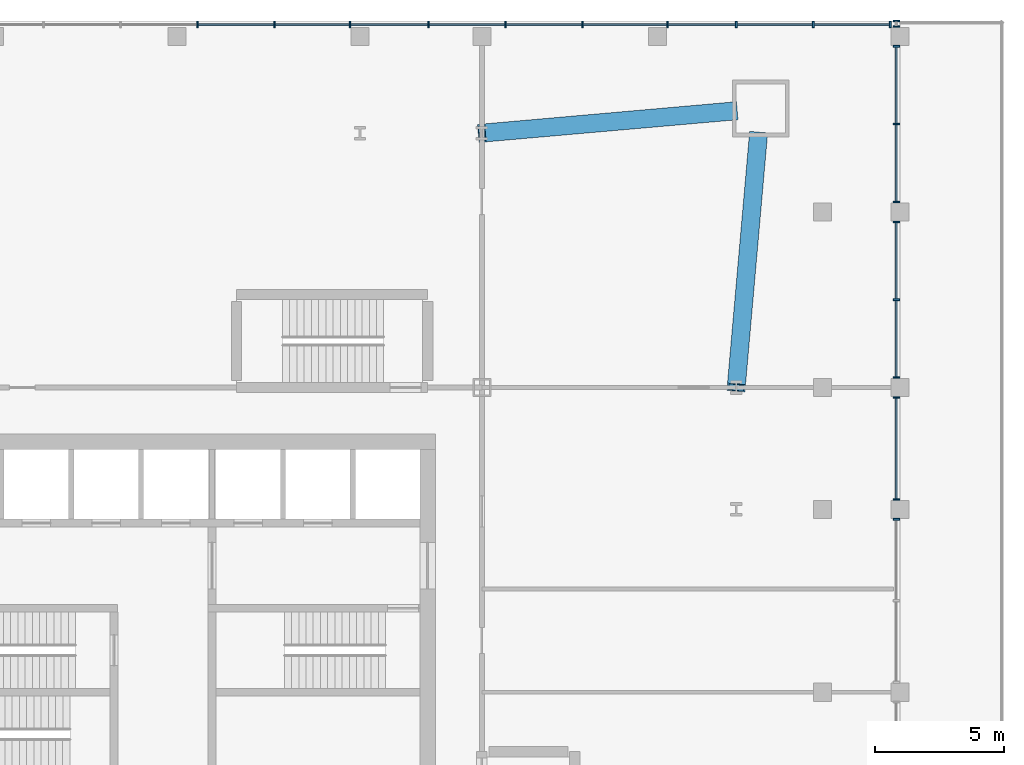
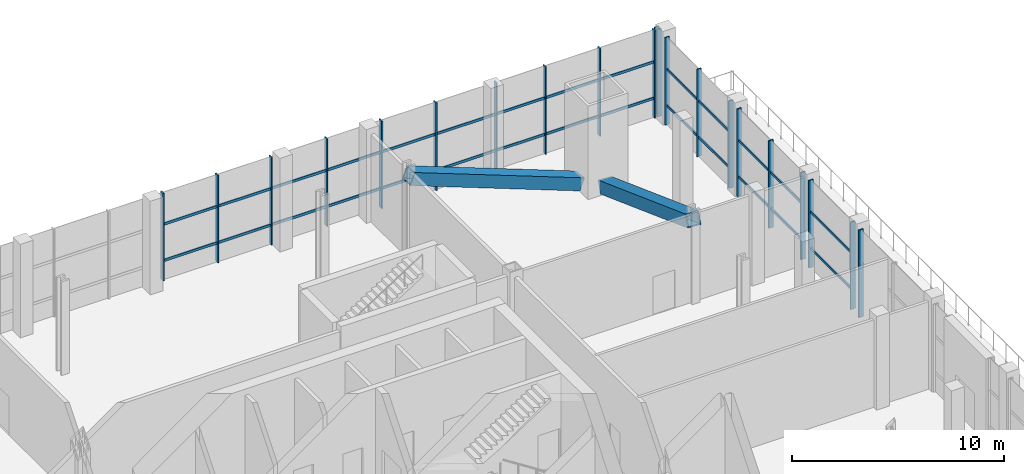
# One storey, part 5 of 17: 51 members, 6 elements without a shape of their own.
"""IFC4 building model written with IfcOpenShell, lengths in metres."""

import ifcopenshell
import ifcopenshell.guid

model = None  # the IFC model being written
_history = None  # IfcOwnerHistory: only IFC2X3 demands one
_inside = {}  # id of a spatial element -> (the spatial element, [elements in it])
_under = {}  # id of a project, library or spatial element -> (it, [spatial elements below it])
_declared = {}  # id of a project -> (the project, [libraries it declares])
_typed = {}  # id of a type object -> (the type object, [elements of that type])
_made_of = {}  # id of a material, layer set ... -> (it, [elements and type objects made of it])


def new_model(schema):
    """Start an empty IFC model of exactly this schema.

    Asked for "IFC4X3", IfcOpenShell would pick the latest addendum, in which some entities
    have other attributes; the version numbers below select the first issue.
    IFC2X3 requires an IfcOwnerHistory on every rooted entity: one is made here for all.
    """
    global model, _history
    if schema == "IFC4X3":
        model = ifcopenshell.file(schema_version=(4, 3, 0, 0))
    else:
        model = ifcopenshell.file(schema=schema)
    _inside.clear()
    _under.clear()
    _declared.clear()
    _typed.clear()
    _made_of.clear()
    _history = None
    if model.schema == "IFC2X3":
        org = make("IfcOrganization", Name="unknown")
        user = make(
            "IfcPersonAndOrganization",
            ThePerson=make("IfcPerson", FamilyName="unknown"),
            TheOrganization=org,
        )
        app = make(
            "IfcApplication",
            ApplicationDeveloper=org,
            Version="unknown",
            ApplicationFullName="unknown",
            ApplicationIdentifier="unknown",
        )
        _history = make(
            "IfcOwnerHistory",
            OwningUser=user,
            OwningApplication=app,
            ChangeAction="ADDED",
            CreationDate=0,
        )
    return model


def make(cls, **values):
    """One entity of the class cls with the attributes given. An attribute that is None is left unset."""
    return model.create_entity(
        cls, **{name: value for name, value in values.items() if value is not None}
    )


def rooted(cls, **values):
    """An entity with a GlobalId (a new one), such as an element, a storey or a relation."""
    return make(cls, GlobalId=ifcopenshell.guid.new(), OwnerHistory=_history, **values)


def si_unit(unit_type, name, prefix=None):
    """IfcSIUnit, for example si_unit("LENGTHUNIT", "METRE", prefix="MILLI")."""
    return make("IfcSIUnit", UnitType=unit_type, Prefix=prefix, Name=name)


def assignment(units):
    """IfcUnitAssignment: the units of a project."""
    return None if units is None else make("IfcUnitAssignment", Units=units)


def point(xyz):
    """IfcCartesianPoint."""
    return None if xyz is None else make("IfcCartesianPoint", Coordinates=xyz)


def direction(xyz):
    """IfcDirection."""
    return None if xyz is None else make("IfcDirection", DirectionRatios=xyz)


def frame(location, z_axis=None, x_axis=None):
    """IfcAxis2Placement3D, a coordinate frame: its origin and axes. An axis left out is left unset."""
    return make(
        "IfcAxis2Placement3D",
        Location=point(location),
        Axis=direction(z_axis),
        RefDirection=direction(x_axis),
    )


def frame_2d(location, x_axis=None):
    """IfcAxis2Placement2D, a coordinate frame in the plane: its origin and x axis."""
    return make(
        "IfcAxis2Placement2D", Location=point(location), RefDirection=direction(x_axis)
    )


def origin():
    """The frame at (0, 0, 0) with its axes left unset."""
    return frame((0.0, 0.0, 0.0))


def origin_2d():
    """The frame at (0, 0) in the plane with its x axis left unset."""
    return frame_2d((0.0, 0.0))


def place(relative_to, where):
    """IfcLocalPlacement: puts the frame where relative to a parent placement (None: the world)."""
    return make(
        "IfcLocalPlacement", PlacementRelTo=relative_to, RelativePlacement=where
    )


def context(
    kind, dimensions, precision=None, world=None, true_north=None, identifier=None
):
    """IfcGeometricRepresentationContext, for example the 3D "Model" context."""
    return make(
        "IfcGeometricRepresentationContext",
        ContextIdentifier=identifier,
        ContextType=kind,
        CoordinateSpaceDimension=dimensions,
        Precision=precision,
        WorldCoordinateSystem=world,
        TrueNorth=true_north,
    )


def subcontext(parent, identifier, kind, view, scale=None):
    """IfcGeometricRepresentationSubContext, for example "Body" below "Model"."""
    return make(
        "IfcGeometricRepresentationSubContext",
        ContextIdentifier=identifier,
        ContextType=kind,
        ParentContext=parent,
        TargetScale=scale,
        TargetView=view,
    )


def project(units=None, contexts=None):
    """IfcProject with its units and contexts."""
    return rooted(
        "IfcProject",
        Name="project",
        RepresentationContexts=contexts,
        UnitsInContext=assignment(units),
    )


def spatial(cls, under=None, at=None, **own):
    """A site, building, storey or space (cls), placed at a placement, below another one or the project."""
    s = rooted(cls, ObjectPlacement=at, **own)
    if under is not None:
        _under.setdefault(under.id(), (under, []))[1].append(s)
    return s


def profile(cls, at=None, kind="AREA", **sizes):
    """A parametric profile (cls). Its sizes go by their IFC names, for example OverallWidth=200.0."""
    return make(cls, ProfileType=kind, Position=at, **sizes)


def rectangle(**sizes):
    """IfcRectangleProfileDef."""
    return profile("IfcRectangleProfileDef", **sizes)


def hollow_rectangle(**sizes):
    """IfcRectangleHollowProfileDef."""
    return profile("IfcRectangleHollowProfileDef", **sizes)


def extrude(swept, where, along, depth):
    """IfcExtrudedAreaSolid: the profile swept, set in the frame where, extruded along a direction by depth."""
    return make(
        "IfcExtrudedAreaSolid",
        SweptArea=swept,
        Position=where,
        ExtrudedDirection=direction(along),
        Depth=depth,
    )


def shape(context_of_items, identifier, shape_type, items):
    """IfcShapeRepresentation: the items that make up one representation, for example the "Body"."""
    return make(
        "IfcShapeRepresentation",
        ContextOfItems=context_of_items,
        RepresentationIdentifier=identifier,
        RepresentationType=shape_type,
        Items=items,
    )


def material(Name=None, Category=None):
    """IfcMaterial."""
    return make("IfcMaterial", Name=Name, Category=Category)


def material_profile(
    of_material, cross_section, Name=None, Category=None, Priority=None
):
    """IfcMaterialProfile: a cross section and its material."""
    return make(
        "IfcMaterialProfile",
        Name=Name,
        Material=of_material,
        Profile=cross_section,
        Priority=Priority,
        Category=Category,
    )


def profile_set(profiles, Name=None, composite=None):
    """IfcMaterialProfileSet."""
    return make(
        "IfcMaterialProfileSet",
        Name=Name,
        MaterialProfiles=profiles,
        CompositeProfile=composite,
    )


def made_of(thing, what):
    """Note that an element or type object is made of a material, layer set ...; save() writes the relation."""
    if what is not None:
        _made_of.setdefault(what.id(), (what, []))[1].append(thing)
    return thing


def type_object(cls, material=None, **own):
    """A type object (cls), such as IfcWallType, which elements share."""
    return made_of(rooted(cls, **own), material)


def element(
    cls,
    number,
    at=None,
    inside=None,
    cuts=None,
    type_object=None,
    material=None,
    context=None,
    identifier="Body",
    shape_type=None,
    held_by="IfcProductDefinitionShape",
    body=None,
    shapes=None,
    **own,
):
    """One element of the class cls, such as IfcWall. Its Tag is "e" and its number.

    at: its placement. inside: the storey or other place that contains it. cuts: it is an
    opening in that element (IfcRelVoidsElement). A single representation is given by context,
    identifier, shape_type and body (its items); several are given by shapes. held_by: the class
    of the entity that holds the representations. save() writes the other relations.
    """
    e = rooted(cls, Tag="e%d" % number, ObjectPlacement=at, **own)
    if body is not None:
        shapes = [shape(context, identifier, shape_type, body)]
    if shapes is not None:
        e.Representation = make(held_by, Representations=shapes)
    if inside is not None:
        _inside.setdefault(inside.id(), (inside, []))[1].append(e)
    if cuts is not None:
        rooted(
            "IfcRelVoidsElement", RelatingBuildingElement=cuts, RelatedOpeningElement=e
        )
    if type_object is not None:
        _typed.setdefault(type_object.id(), (type_object, []))[1].append(e)
    return made_of(e, material)


def aggregate(whole, parts):
    """IfcRelAggregates: a whole, such as a stair, and the parts it consists of."""
    return rooted("IfcRelAggregates", RelatingObject=whole, RelatedObjects=parts)


def save(model, path):
    """Write the relations noted so far, then the file.

    IfcRelAggregates (storeys below a building ...), IfcRelContainedInSpatialStructure (elements
    in a storey), IfcRelDefinesByType, IfcRelAssociatesMaterial and IfcRelDeclares: one each for
    every whole, place, type object, material and project.
    """
    for whole, parts in _under.values():
        aggregate(whole, parts)
    for where, things in _inside.values():
        rooted(
            "IfcRelContainedInSpatialStructure",
            RelatedElements=things,
            RelatingStructure=where,
        )
    for kind, things in _typed.values():
        rooted("IfcRelDefinesByType", RelatedObjects=things, RelatingType=kind)
    for what, things in _made_of.values():
        rooted("IfcRelAssociatesMaterial", RelatedObjects=things, RelatingMaterial=what)
    for by, libraries in _declared.values():
        rooted("IfcRelDeclares", RelatingContext=by, RelatedDefinitions=libraries)
    model.write(path)


model = new_model("IFC4")

# Units and contexts
model_context = context("Model", 3, precision=1e-05, world=origin(), true_north=direction((0.0, 1.0)))
body_context = subcontext(model_context, "Body", "Model", "MODEL_VIEW")
ifc_project = project(units=[si_unit("LENGTHUNIT", "METRE"), si_unit("AREAUNIT", "SQUARE_METRE"), si_unit("VOLUMEUNIT", "CUBIC_METRE"), si_unit("PLANEANGLEUNIT", "RADIAN"), si_unit("MASSUNIT", "GRAM", prefix="KILO")], contexts=[model_context])

# Site, building, storey
site_placement = place(None, origin())
site = spatial("IfcSite", under=ifc_project, at=site_placement, CompositionType="ELEMENT")
building_placement = place(site_placement, origin())
building = spatial("IfcBuilding", under=site, at=building_placement, Name="Turquesa Mirador Hotel Tower", CompositionType="ELEMENT")
storey_placement = place(building_placement, frame((0.0, 0.0, 5.60009765625)))
storey = spatial("IfcBuildingStorey", under=building, at=storey_placement, Name="L01", CompositionType="ELEMENT", Elevation=5.60009765625)

# Curtain wall, member
ifc_material_1 = material(Name="Aluminium extrusion", Category="aluminium")
curtain_wall_type = type_object("IfcCurtainWallType", Name="CW-2 PODIUM CURTAIN WALL", PredefinedType="USERDEFINED", material=ifc_material_1)
curtain_wall_1_placement = place(storey_placement, origin())
curtain_wall_1 = element("IfcCurtainWall", 1, at=curtain_wall_1_placement, inside=storey, type_object=curtain_wall_type, Name="CW-2 PODIUM CURTAIN WALL L01", ObjectType="CURTAIN WALL", PredefinedType="USERDEFINED")
ifc_material_2 = material(Name="Aluminium extrusion", Category="aluminium")
ifc_material_profile_1 = material_profile(ifc_material_2, rectangle(XDim=0.06494140625, YDim=0.25, at=origin_2d()), Name="MULLION 65X250")
ifc_profile_set_1 = profile_set([ifc_material_profile_1], Name="Aluminium extrusion")
member_type_1 = type_object("IfcMemberType", Name="CW MULLION 65X250", PredefinedType="MULLION", material=ifc_profile_set_1)
member_1_placement = place(storey_placement, frame((82.85009765625, 51.695556640625, 0.0), z_axis=(0.0, 0.0, 1.0), x_axis=(0.0, 1.0, 0.0)))
member_1 = element("IfcMember", 2, at=member_1_placement, type_object=member_type_1, Name="Mullion", PredefinedType="MULLION", context=body_context, shape_type="SweptSolid", body=[
    extrude(rectangle(XDim=0.06494140625, YDim=0.25, at=origin_2d()), origin(), (0.0, 0.0, 1.0), 5.0498046875),
])
aggregate(curtain_wall_1, [member_1])

# Curtain wall, members
curtain_wall_2_placement = place(storey_placement, origin())
curtain_wall_2 = element("IfcCurtainWall", 3, at=curtain_wall_2_placement, inside=storey, type_object=curtain_wall_type, Name="CW-2 PODIUM CURTAIN WALL L01", ObjectType="CURTAIN WALL", PredefinedType="USERDEFINED")
member_2_placement = place(storey_placement, frame((82.85009765625, 52.464599609375, 0.0), z_axis=(0.0, 0.0, 1.0), x_axis=(0.0, 1.0, 0.0)))
member_2 = element("IfcMember", 4, at=member_2_placement, type_object=member_type_1, Name="Mullion", PredefinedType="MULLION", context=body_context, shape_type="SweptSolid", body=[
    extrude(rectangle(XDim=0.06494140625, YDim=0.25, at=origin_2d()), origin(), (0.0, 0.0, 1.0), 5.0498046875),
])
member_3_placement = place(storey_placement, frame((82.85009765625, 56.41552734375, 0.0), z_axis=(0.0, 0.0, 1.0), x_axis=(0.0, 1.0, 0.0)))
member_3 = element("IfcMember", 5, at=member_3_placement, type_object=member_type_1, Name="Mullion", PredefinedType="MULLION", context=body_context, shape_type="SweptSolid", body=[
    extrude(rectangle(XDim=0.06494140625, YDim=0.25, at=origin_2d()), origin(), (0.0, 0.0, 1.0), 5.0498046875),
])

curtain_wall_3_placement = place(storey_placement, origin())
curtain_wall_3 = element("IfcCurtainWall", 6, at=curtain_wall_3_placement, inside=storey, type_object=curtain_wall_type, Name="CW-2 PODIUM CURTAIN WALL L01", ObjectType="CURTAIN WALL", PredefinedType="USERDEFINED")
member_4_placement = place(storey_placement, frame((82.85009765625, 57.1845703125, 0.0), z_axis=(0.0, 0.0, 1.0), x_axis=(0.0, 1.0, 0.0)))
member_4 = element("IfcMember", 7, at=member_4_placement, type_object=member_type_1, Name="Mullion", PredefinedType="MULLION", context=body_context, shape_type="SweptSolid", body=[
    extrude(rectangle(XDim=0.06494140625, YDim=0.25, at=origin_2d()), origin(), (0.0, 0.0, 1.0), 5.0498046875),
])
member_5_placement = place(storey_placement, frame((82.85009765625, 60.199951171875, 0.0), z_axis=(0.0, 0.0, 1.0), x_axis=(0.0, 1.0, 0.0)))
member_5 = element("IfcMember", 8, at=member_5_placement, type_object=member_type_1, Name="Mullion", PredefinedType="MULLION", context=body_context, shape_type="SweptSolid", body=[
    extrude(rectangle(XDim=0.06494140625, YDim=0.25, at=origin_2d()), origin(), (0.0, 0.0, 1.0), 5.0498046875),
])
member_6_placement = place(storey_placement, frame((82.85009765625, 63.215576171875, 0.0), z_axis=(0.0, 0.0, 1.0), x_axis=(0.0, 1.0, 0.0)))
member_6 = element("IfcMember", 9, at=member_6_placement, type_object=member_type_1, Name="Mullion", PredefinedType="MULLION", context=body_context, shape_type="SweptSolid", body=[
    extrude(rectangle(XDim=0.06494140625, YDim=0.25, at=origin_2d()), origin(), (0.0, 0.0, 1.0), 5.0498046875),
])

curtain_wall_4_placement = place(storey_placement, origin())
curtain_wall_4 = element("IfcCurtainWall", 10, at=curtain_wall_4_placement, inside=storey, type_object=curtain_wall_type, Name="CW-2 PODIUM CURTAIN WALL L01", ObjectType="CURTAIN WALL", PredefinedType="USERDEFINED")
member_7_placement = place(storey_placement, frame((82.85009765625, 63.984619140625, 0.0), z_axis=(0.0, 0.0, 1.0), x_axis=(0.0, 1.0, 0.0)))
member_7 = element("IfcMember", 11, at=member_7_placement, type_object=member_type_1, Name="Mullion", PredefinedType="MULLION", context=body_context, shape_type="SweptSolid", body=[
    extrude(rectangle(XDim=0.06494140625, YDim=0.25, at=origin_2d()), origin(), (0.0, 0.0, 1.0), 5.0498046875),
])
member_8_placement = place(storey_placement, frame((82.85009765625, 67.0, 0.0), z_axis=(0.0, 0.0, 1.0), x_axis=(0.0, 1.0, 0.0)))
member_8 = element("IfcMember", 12, at=member_8_placement, type_object=member_type_1, Name="Mullion", PredefinedType="MULLION", context=body_context, shape_type="SweptSolid", body=[
    extrude(rectangle(XDim=0.06494140625, YDim=0.25, at=origin_2d()), origin(), (0.0, 0.0, 1.0), 5.0498046875),
])
member_9_placement = place(storey_placement, frame((82.85009765625, 70.015380859375, 0.0), z_axis=(0.0, 0.0, 1.0), x_axis=(0.0, 1.0, 0.0)))
member_9 = element("IfcMember", 13, at=member_9_placement, type_object=member_type_1, Name="Mullion", PredefinedType="MULLION", context=body_context, shape_type="SweptSolid", body=[
    extrude(rectangle(XDim=0.06494140625, YDim=0.25, at=origin_2d()), origin(), (0.0, 0.0, 1.0), 5.0498046875),
])

curtain_wall_5_placement = place(storey_placement, origin())
curtain_wall_5 = element("IfcCurtainWall", 14, at=curtain_wall_5_placement, inside=storey, type_object=curtain_wall_type, Name="CW-2 PODIUM CURTAIN WALL L01", ObjectType="CURTAIN WALL", PredefinedType="USERDEFINED")
member_10_placement = place(storey_placement, frame((82.85009765625, 70.784423828125, 0.0), z_axis=(0.0, 0.0, 1.0), x_axis=(0.0, 1.0, 0.0)))
member_10 = element("IfcMember", 15, at=member_10_placement, type_object=member_type_1, Name="Mullion", PredefinedType="MULLION", context=body_context, shape_type="SweptSolid", body=[
    extrude(rectangle(XDim=0.06494140625, YDim=0.25, at=origin_2d()), origin(), (0.0, 0.0, 1.0), 5.0498046875),
])
member_11_placement = place(storey_placement, frame((82.85009765625, 71.0, 0.0), z_axis=(0.0, 0.0, 1.0), x_axis=(0.0, 1.0, 0.0)))
member_11 = element("IfcMember", 16, at=member_11_placement, type_object=member_type_1, Name="Mullion", PredefinedType="MULLION", context=body_context, shape_type="SweptSolid", body=[
    extrude(rectangle(XDim=0.06494140625, YDim=0.25, at=origin_2d()), origin(), (0.0, 0.0, 1.0), 5.0498046875),
])
aggregate(curtain_wall_5, [member_10, member_11])

curtain_wall_6_placement = place(storey_placement, origin())
curtain_wall_6 = element("IfcCurtainWall", 17, at=curtain_wall_6_placement, inside=storey, type_object=curtain_wall_type, Name="CW-2 PODIUM CURTAIN WALL L01", ObjectType="CURTAIN WALL", PredefinedType="USERDEFINED")
member_12_placement = place(storey_placement, frame((82.615478515625, 70.85009765625, 0.0), z_axis=(0.0, 0.0, 1.0), x_axis=(-1.0, 0.0, 0.0)))
member_12 = element("IfcMember", 18, at=member_12_placement, type_object=member_type_1, Name="Mullion", PredefinedType="MULLION", context=body_context, shape_type="SweptSolid", body=[
    extrude(rectangle(XDim=0.06494140625, YDim=0.25, at=origin_2d()), origin(), (0.0, 0.0, 1.0), 5.0498046875),
])
member_13_placement = place(storey_placement, frame((79.634765625, 70.85009765625, 0.0), z_axis=(0.0, 0.0, 1.0), x_axis=(-1.0, 0.0, 0.0)))
member_13 = element("IfcMember", 19, at=member_13_placement, type_object=member_type_1, Name="Mullion", PredefinedType="MULLION", context=body_context, shape_type="SweptSolid", body=[
    extrude(rectangle(XDim=0.06494140625, YDim=0.25, at=origin_2d()), origin(), (0.0, 0.0, 1.0), 5.0498046875),
])
member_14_placement = place(storey_placement, frame((76.654052734375, 70.85009765625, 0.0), z_axis=(0.0, 0.0, 1.0), x_axis=(-1.0, 0.0, 0.0)))
member_14 = element("IfcMember", 20, at=member_14_placement, type_object=member_type_1, Name="Mullion", PredefinedType="MULLION", context=body_context, shape_type="SweptSolid", body=[
    extrude(rectangle(XDim=0.06494140625, YDim=0.25, at=origin_2d()), origin(), (0.0, 0.0, 1.0), 5.0498046875),
])
member_15_placement = place(storey_placement, frame((73.984619140625, 70.85009765625, 0.0), z_axis=(0.0, 0.0, 1.0), x_axis=(-1.0, 0.0, 0.0)))
member_15 = element("IfcMember", 21, at=member_15_placement, type_object=member_type_1, Name="Mullion", PredefinedType="MULLION", context=body_context, shape_type="SweptSolid", body=[
    extrude(rectangle(XDim=0.06494140625, YDim=0.25, at=origin_2d()), origin(), (0.0, 0.0, 1.0), 5.0498046875),
])
member_16_placement = place(storey_placement, frame((70.6923828125, 70.85009765625, 0.0), z_axis=(0.0, 0.0, 1.0), x_axis=(-1.0, 0.0, 0.0)))
member_16 = element("IfcMember", 22, at=member_16_placement, type_object=member_type_1, Name="Mullion", PredefinedType="MULLION", context=body_context, shape_type="SweptSolid", body=[
    extrude(rectangle(XDim=0.06494140625, YDim=0.25, at=origin_2d()), origin(), (0.0, 0.0, 1.0), 5.0498046875),
])
member_17_placement = place(storey_placement, frame((67.711669921875, 70.85009765625, 0.0), z_axis=(0.0, 0.0, 1.0), x_axis=(-1.0, 0.0, 0.0)))
member_17 = element("IfcMember", 23, at=member_17_placement, type_object=member_type_1, Name="Mullion", PredefinedType="MULLION", context=body_context, shape_type="SweptSolid", body=[
    extrude(rectangle(XDim=0.06494140625, YDim=0.25, at=origin_2d()), origin(), (0.0, 0.0, 1.0), 5.0498046875),
])
member_18_placement = place(storey_placement, frame((64.73095703125, 70.85009765625, 0.0), z_axis=(0.0, 0.0, 1.0), x_axis=(-1.0, 0.0, 0.0)))
member_18 = element("IfcMember", 24, at=member_18_placement, type_object=member_type_1, Name="Mullion", PredefinedType="MULLION", context=body_context, shape_type="SweptSolid", body=[
    extrude(rectangle(XDim=0.06494140625, YDim=0.25, at=origin_2d()), origin(), (0.0, 0.0, 1.0), 5.0498046875),
])
member_19_placement = place(storey_placement, frame((61.695556640625, 70.85009765625, 0.0), z_axis=(0.0, 0.0, 1.0), x_axis=(-1.0, 0.0, 0.0)))
member_19 = element("IfcMember", 25, at=member_19_placement, type_object=member_type_1, Name="Mullion", PredefinedType="MULLION", context=body_context, shape_type="SweptSolid", body=[
    extrude(rectangle(XDim=0.06494140625, YDim=0.25, at=origin_2d()), origin(), (0.0, 0.0, 1.0), 5.0498046875),
])
member_20_placement = place(storey_placement, frame((58.769287109375, 70.85009765625, 0.0), z_axis=(0.0, 0.0, 1.0), x_axis=(-1.0, 0.0, 0.0)))
member_20 = element("IfcMember", 26, at=member_20_placement, type_object=member_type_1, Name="Mullion", PredefinedType="MULLION", context=body_context, shape_type="SweptSolid", body=[
    extrude(rectangle(XDim=0.06494140625, YDim=0.25, at=origin_2d()), origin(), (0.0, 0.0, 1.0), 5.0498046875),
])
member_21_placement = place(storey_placement, frame((55.78857421875, 70.85009765625, 0.0), z_axis=(0.0, 0.0, 1.0), x_axis=(-1.0, 0.0, 0.0)))
member_21 = element("IfcMember", 27, at=member_21_placement, type_object=member_type_1, Name="Mullion", PredefinedType="MULLION", context=body_context, shape_type="SweptSolid", body=[
    extrude(rectangle(XDim=0.06494140625, YDim=0.25, at=origin_2d()), origin(), (0.0, 0.0, 1.0), 5.0498046875),
])

# Member
ifc_material_3 = material(Name="Aluminium extrusion", Category="aluminium")
ifc_material_profile_2 = material_profile(ifc_material_3, rectangle(XDim=0.06494140625, YDim=0.14990234375, at=origin_2d()), Name="TRANSOM 65X150")
ifc_profile_set_2 = profile_set([ifc_material_profile_2], Name="Aluminium extrusion")
member_type_2 = type_object("IfcMemberType", Name="CW TRANSOM 65X150", PredefinedType="USERDEFINED", material=ifc_profile_set_2)
member_22_placement = place(storey_placement, frame((82.85009765625, 52.4970703125, 1.099853515625), z_axis=(0.0, 1.0, 0.0), x_axis=(-1.0, 0.0, 0.0)))
member_22 = element("IfcMember", 28, at=member_22_placement, type_object=member_type_2, Name="Transom", ObjectType="TRANSOM", PredefinedType="USERDEFINED", context=body_context, shape_type="SweptSolid", body=[
    extrude(rectangle(XDim=0.06494140625, YDim=0.14990234375, at=origin_2d()), origin(), (0.0, 0.0, 1.0), 3.885986328125),
])

member_23_placement = place(storey_placement, frame((82.85009765625, 52.4970703125, 3.199951171875), z_axis=(0.0, 1.0, 0.0), x_axis=(-1.0, 0.0, 0.0)))
member_23 = element("IfcMember", 29, at=member_23_placement, type_object=member_type_2, Name="Transom", ObjectType="TRANSOM", PredefinedType="USERDEFINED", context=body_context, shape_type="SweptSolid", body=[
    extrude(rectangle(XDim=0.06494140625, YDim=0.14990234375, at=origin_2d()), origin(), (0.0, 0.0, 1.0), 3.885986328125),
])

aggregate(curtain_wall_2, [member_2, member_3, member_22, member_23])

member_24_placement = place(storey_placement, frame((82.85009765625, 57.217041015625, 1.099853515625), z_axis=(0.0, 1.0, 0.0), x_axis=(-1.0, 0.0, 0.0)))
member_24 = element("IfcMember", 30, at=member_24_placement, type_object=member_type_2, Name="Transom", ObjectType="TRANSOM", PredefinedType="USERDEFINED", context=body_context, shape_type="SweptSolid", body=[
    extrude(rectangle(XDim=0.06494140625, YDim=0.14990234375, at=origin_2d()), origin(), (0.0, 0.0, 1.0), 2.950439453125),
])

member_25_placement = place(storey_placement, frame((82.85009765625, 57.217041015625, 3.199951171875), z_axis=(0.0, 1.0, 0.0), x_axis=(-1.0, 0.0, 0.0)))
member_25 = element("IfcMember", 31, at=member_25_placement, type_object=member_type_2, Name="Transom", ObjectType="TRANSOM", PredefinedType="USERDEFINED", context=body_context, shape_type="SweptSolid", body=[
    extrude(rectangle(XDim=0.06494140625, YDim=0.14990234375, at=origin_2d()), origin(), (0.0, 0.0, 1.0), 2.950439453125),
])

member_26_placement = place(storey_placement, frame((82.85009765625, 60.232421875, 1.099853515625), z_axis=(0.0, 1.0, 0.0), x_axis=(-1.0, 0.0, 0.0)))
member_26 = element("IfcMember", 32, at=member_26_placement, type_object=member_type_2, Name="Transom", ObjectType="TRANSOM", PredefinedType="USERDEFINED", context=body_context, shape_type="SweptSolid", body=[
    extrude(rectangle(XDim=0.06494140625, YDim=0.14990234375, at=origin_2d()), origin(), (0.0, 0.0, 1.0), 2.95068359375),
])

member_27_placement = place(storey_placement, frame((82.85009765625, 60.232421875, 3.199951171875), z_axis=(0.0, 1.0, 0.0), x_axis=(-1.0, 0.0, 0.0)))
member_27 = element("IfcMember", 33, at=member_27_placement, type_object=member_type_2, Name="Transom", ObjectType="TRANSOM", PredefinedType="USERDEFINED", context=body_context, shape_type="SweptSolid", body=[
    extrude(rectangle(XDim=0.06494140625, YDim=0.14990234375, at=origin_2d()), origin(), (0.0, 0.0, 1.0), 2.95068359375),
])

aggregate(curtain_wall_3, [member_4, member_5, member_6, member_24, member_25, member_26, member_27])

member_28_placement = place(storey_placement, frame((82.85009765625, 64.01708984375, 1.099853515625), z_axis=(0.0, 1.0, 0.0), x_axis=(-1.0, 0.0, 0.0)))
member_28 = element("IfcMember", 34, at=member_28_placement, type_object=member_type_2, Name="Transom", ObjectType="TRANSOM", PredefinedType="USERDEFINED", context=body_context, shape_type="SweptSolid", body=[
    extrude(rectangle(XDim=0.06494140625, YDim=0.14990234375, at=origin_2d()), origin(), (0.0, 0.0, 1.0), 2.950439453125),
])

member_29_placement = place(storey_placement, frame((82.85009765625, 64.01708984375, 3.199951171875), z_axis=(0.0, 1.0, 0.0), x_axis=(-1.0, 0.0, 0.0)))
member_29 = element("IfcMember", 35, at=member_29_placement, type_object=member_type_2, Name="Transom", ObjectType="TRANSOM", PredefinedType="USERDEFINED", context=body_context, shape_type="SweptSolid", body=[
    extrude(rectangle(XDim=0.06494140625, YDim=0.14990234375, at=origin_2d()), origin(), (0.0, 0.0, 1.0), 2.950439453125),
])

member_30_placement = place(storey_placement, frame((82.85009765625, 67.032470703125, 1.099853515625), z_axis=(0.0, 1.0, 0.0), x_axis=(-1.0, 0.0, 0.0)))
member_30 = element("IfcMember", 36, at=member_30_placement, type_object=member_type_2, Name="Transom", ObjectType="TRANSOM", PredefinedType="USERDEFINED", context=body_context, shape_type="SweptSolid", body=[
    extrude(rectangle(XDim=0.06494140625, YDim=0.14990234375, at=origin_2d()), origin(), (0.0, 0.0, 1.0), 2.950439453125),
])

member_31_placement = place(storey_placement, frame((82.85009765625, 67.032470703125, 3.199951171875), z_axis=(0.0, 1.0, 0.0), x_axis=(-1.0, 0.0, 0.0)))
member_31 = element("IfcMember", 37, at=member_31_placement, type_object=member_type_2, Name="Transom", ObjectType="TRANSOM", PredefinedType="USERDEFINED", context=body_context, shape_type="SweptSolid", body=[
    extrude(rectangle(XDim=0.06494140625, YDim=0.14990234375, at=origin_2d()), origin(), (0.0, 0.0, 1.0), 2.950439453125),
])

aggregate(curtain_wall_4, [member_7, member_8, member_9, member_28, member_29, member_30, member_31])

member_32_placement = place(storey_placement, frame((82.5830078125, 70.85009765625, 1.099853515625), z_axis=(-1.0, 0.0, 0.0), x_axis=(0.0, -1.0, 0.0)))
member_32 = element("IfcMember", 38, at=member_32_placement, type_object=member_type_2, Name="Transom", ObjectType="TRANSOM", PredefinedType="USERDEFINED", context=body_context, shape_type="SweptSolid", body=[
    extrude(rectangle(XDim=0.06494140625, YDim=0.14990234375, at=origin_2d()), origin(), (0.0, 0.0, 1.0), 2.915771484375),
])

member_33_placement = place(storey_placement, frame((82.5830078125, 70.85009765625, 3.199951171875), z_axis=(-1.0, 0.0, 0.0), x_axis=(0.0, -1.0, 0.0)))
member_33 = element("IfcMember", 39, at=member_33_placement, type_object=member_type_2, Name="Transom", ObjectType="TRANSOM", PredefinedType="USERDEFINED", context=body_context, shape_type="SweptSolid", body=[
    extrude(rectangle(XDim=0.06494140625, YDim=0.14990234375, at=origin_2d()), origin(), (0.0, 0.0, 1.0), 2.915771484375),
])

member_34_placement = place(storey_placement, frame((79.602294921875, 70.85009765625, 1.099853515625), z_axis=(-1.0, 0.0, 0.0), x_axis=(0.0, -1.0, 0.0)))
member_34 = element("IfcMember", 40, at=member_34_placement, type_object=member_type_2, Name="Transom", ObjectType="TRANSOM", PredefinedType="USERDEFINED", context=body_context, shape_type="SweptSolid", body=[
    extrude(rectangle(XDim=0.06494140625, YDim=0.14990234375, at=origin_2d()), origin(), (0.0, 0.0, 1.0), 2.915771484375),
])

member_35_placement = place(storey_placement, frame((79.602294921875, 70.85009765625, 3.199951171875), z_axis=(-1.0, 0.0, 0.0), x_axis=(0.0, -1.0, 0.0)))
member_35 = element("IfcMember", 41, at=member_35_placement, type_object=member_type_2, Name="Transom", ObjectType="TRANSOM", PredefinedType="USERDEFINED", context=body_context, shape_type="SweptSolid", body=[
    extrude(rectangle(XDim=0.06494140625, YDim=0.14990234375, at=origin_2d()), origin(), (0.0, 0.0, 1.0), 2.915771484375),
])

member_36_placement = place(storey_placement, frame((76.621337890625, 70.85009765625, 1.099853515625), z_axis=(-1.0, 0.0, 0.0), x_axis=(0.0, -1.0, 0.0)))
member_36 = element("IfcMember", 42, at=member_36_placement, type_object=member_type_2, Name="Transom", ObjectType="TRANSOM", PredefinedType="USERDEFINED", context=body_context, shape_type="SweptSolid", body=[
    extrude(rectangle(XDim=0.06494140625, YDim=0.14990234375, at=origin_2d()), origin(), (0.0, 0.0, 1.0), 2.604248046875),
])

member_37_placement = place(storey_placement, frame((76.621337890625, 70.85009765625, 3.199951171875), z_axis=(-1.0, 0.0, 0.0), x_axis=(0.0, -1.0, 0.0)))
member_37 = element("IfcMember", 43, at=member_37_placement, type_object=member_type_2, Name="Transom", ObjectType="TRANSOM", PredefinedType="USERDEFINED", context=body_context, shape_type="SweptSolid", body=[
    extrude(rectangle(XDim=0.06494140625, YDim=0.14990234375, at=origin_2d()), origin(), (0.0, 0.0, 1.0), 2.604248046875),
])

member_38_placement = place(storey_placement, frame((73.951904296875, 70.85009765625, 1.099853515625), z_axis=(-1.0, 0.0, 0.0), x_axis=(0.0, -1.0, 0.0)))
member_38 = element("IfcMember", 44, at=member_38_placement, type_object=member_type_2, Name="Transom", ObjectType="TRANSOM", PredefinedType="USERDEFINED", context=body_context, shape_type="SweptSolid", body=[
    extrude(rectangle(XDim=0.06494140625, YDim=0.14990234375, at=origin_2d()), origin(), (0.0, 0.0, 1.0), 3.22705078125),
])

member_39_placement = place(storey_placement, frame((73.951904296875, 70.85009765625, 3.199951171875), z_axis=(-1.0, 0.0, 0.0), x_axis=(0.0, -1.0, 0.0)))
member_39 = element("IfcMember", 45, at=member_39_placement, type_object=member_type_2, Name="Transom", ObjectType="TRANSOM", PredefinedType="USERDEFINED", context=body_context, shape_type="SweptSolid", body=[
    extrude(rectangle(XDim=0.06494140625, YDim=0.14990234375, at=origin_2d()), origin(), (0.0, 0.0, 1.0), 3.22705078125),
])

member_40_placement = place(storey_placement, frame((70.659912109375, 70.85009765625, 1.099853515625), z_axis=(-1.0, 0.0, 0.0), x_axis=(0.0, -1.0, 0.0)))
member_40 = element("IfcMember", 46, at=member_40_placement, type_object=member_type_2, Name="Transom", ObjectType="TRANSOM", PredefinedType="USERDEFINED", context=body_context, shape_type="SweptSolid", body=[
    extrude(rectangle(XDim=0.06494140625, YDim=0.14990234375, at=origin_2d()), origin(), (0.0, 0.0, 1.0), 2.915771484375),
])

member_41_placement = place(storey_placement, frame((70.659912109375, 70.85009765625, 3.199951171875), z_axis=(-1.0, 0.0, 0.0), x_axis=(0.0, -1.0, 0.0)))
member_41 = element("IfcMember", 47, at=member_41_placement, type_object=member_type_2, Name="Transom", ObjectType="TRANSOM", PredefinedType="USERDEFINED", context=body_context, shape_type="SweptSolid", body=[
    extrude(rectangle(XDim=0.06494140625, YDim=0.14990234375, at=origin_2d()), origin(), (0.0, 0.0, 1.0), 2.915771484375),
])

member_42_placement = place(storey_placement, frame((67.67919921875, 70.85009765625, 1.099853515625), z_axis=(-1.0, 0.0, 0.0), x_axis=(0.0, -1.0, 0.0)))
member_42 = element("IfcMember", 48, at=member_42_placement, type_object=member_type_2, Name="Transom", ObjectType="TRANSOM", PredefinedType="USERDEFINED", context=body_context, shape_type="SweptSolid", body=[
    extrude(rectangle(XDim=0.06494140625, YDim=0.14990234375, at=origin_2d()), origin(), (0.0, 0.0, 1.0), 2.915771484375),
])

member_43_placement = place(storey_placement, frame((67.67919921875, 70.85009765625, 3.199951171875), z_axis=(-1.0, 0.0, 0.0), x_axis=(0.0, -1.0, 0.0)))
member_43 = element("IfcMember", 49, at=member_43_placement, type_object=member_type_2, Name="Transom", ObjectType="TRANSOM", PredefinedType="USERDEFINED", context=body_context, shape_type="SweptSolid", body=[
    extrude(rectangle(XDim=0.06494140625, YDim=0.14990234375, at=origin_2d()), origin(), (0.0, 0.0, 1.0), 2.915771484375),
])

member_44_placement = place(storey_placement, frame((64.6982421875, 70.85009765625, 1.099853515625), z_axis=(-1.0, 0.0, 0.0), x_axis=(0.0, -1.0, 0.0)))
member_44 = element("IfcMember", 50, at=member_44_placement, type_object=member_type_2, Name="Transom", ObjectType="TRANSOM", PredefinedType="USERDEFINED", context=body_context, shape_type="SweptSolid", body=[
    extrude(rectangle(XDim=0.06494140625, YDim=0.14990234375, at=origin_2d()), origin(), (0.0, 0.0, 1.0), 2.97021484375),
])

member_45_placement = place(storey_placement, frame((64.6982421875, 70.85009765625, 3.199951171875), z_axis=(-1.0, 0.0, 0.0), x_axis=(0.0, -1.0, 0.0)))
member_45 = element("IfcMember", 51, at=member_45_placement, type_object=member_type_2, Name="Transom", ObjectType="TRANSOM", PredefinedType="USERDEFINED", context=body_context, shape_type="SweptSolid", body=[
    extrude(rectangle(XDim=0.06494140625, YDim=0.14990234375, at=origin_2d()), origin(), (0.0, 0.0, 1.0), 2.97021484375),
])

member_46_placement = place(storey_placement, frame((61.6630859375, 70.85009765625, 1.099853515625), z_axis=(-1.0, 0.0, 0.0), x_axis=(0.0, -1.0, 0.0)))
member_46 = element("IfcMember", 52, at=member_46_placement, type_object=member_type_2, Name="Transom", ObjectType="TRANSOM", PredefinedType="USERDEFINED", context=body_context, shape_type="SweptSolid", body=[
    extrude(rectangle(XDim=0.06494140625, YDim=0.14990234375, at=origin_2d()), origin(), (0.0, 0.0, 1.0), 2.861328125),
])

member_47_placement = place(storey_placement, frame((61.6630859375, 70.85009765625, 3.199951171875), z_axis=(-1.0, 0.0, 0.0), x_axis=(0.0, -1.0, 0.0)))
member_47 = element("IfcMember", 53, at=member_47_placement, type_object=member_type_2, Name="Transom", ObjectType="TRANSOM", PredefinedType="USERDEFINED", context=body_context, shape_type="SweptSolid", body=[
    extrude(rectangle(XDim=0.06494140625, YDim=0.14990234375, at=origin_2d()), origin(), (0.0, 0.0, 1.0), 2.861328125),
])

member_48_placement = place(storey_placement, frame((58.73681640625, 70.85009765625, 1.099853515625), z_axis=(-1.0, 0.0, 0.0), x_axis=(0.0, -1.0, 0.0)))
member_48 = element("IfcMember", 54, at=member_48_placement, type_object=member_type_2, Name="Transom", ObjectType="TRANSOM", PredefinedType="USERDEFINED", context=body_context, shape_type="SweptSolid", body=[
    extrude(rectangle(XDim=0.06494140625, YDim=0.14990234375, at=origin_2d()), origin(), (0.0, 0.0, 1.0), 2.915771484375),
])

member_49_placement = place(storey_placement, frame((58.73681640625, 70.85009765625, 3.199951171875), z_axis=(-1.0, 0.0, 0.0), x_axis=(0.0, -1.0, 0.0)))
member_49 = element("IfcMember", 55, at=member_49_placement, type_object=member_type_2, Name="Transom", ObjectType="TRANSOM", PredefinedType="USERDEFINED", context=body_context, shape_type="SweptSolid", body=[
    extrude(rectangle(XDim=0.06494140625, YDim=0.14990234375, at=origin_2d()), origin(), (0.0, 0.0, 1.0), 2.915771484375),
])

aggregate(curtain_wall_6, [member_12, member_13, member_14, member_15, member_16, member_17, member_18, member_19, member_20, member_21, member_32, member_33, member_34, member_35, member_36, member_37, member_38, member_39, member_40, member_41, member_42, member_43, member_44, member_45, member_46, member_47, member_48, member_49])

# Members
ifc_material_4 = material(Name="Steel ASTM A572 Grade 50", Category="steel")
ifc_material_profile_3 = material_profile(ifc_material_4, hollow_rectangle(XDim=0.699951171875, YDim=0.699951171875, WallThickness=0.06005859375, at=origin_2d()), Name="BOX700X700X60")
ifc_profile_set_3 = profile_set([ifc_material_profile_3], Name="Steel ASTM A572 Grade 50")
member_type_3 = type_object("IfcMemberType", Name="PODIUM BRACE BOX700X700X60", PredefinedType="BRACE", material=ifc_profile_set_3)
for number, where, z_axis, x_axis, name in (
    (56, (76.550048828125, 67.507568359375, 0.456787109375), (-0.913963080549, -0.080397443459, 0.397753363881), (0.087627369437, -0.996153323603, 0.0), "Podium brace N"),
    (57, (77.507568359375, 66.550048828125, 0.456787109375), (-0.080397443459, -0.913963080549, 0.397753363881), (0.996153323603, -0.087627369437, 0.0), "Podium brace E"),
):
    element("IfcMember", number, at=place(storey_placement, frame(where, z_axis=z_axis, x_axis=x_axis)), inside=storey, type_object=member_type_3, Name=name, PredefinedType="BRACE", context=body_context, shape_type="SweptSolid", body=[
        extrude(hollow_rectangle(XDim=0.699951171875, YDim=0.699951171875, WallThickness=0.06005859375, at=origin_2d()), origin(), (0.0, 0.0, 1.0), 10.667724609375),
    ])

save(model, "model.ifc")
